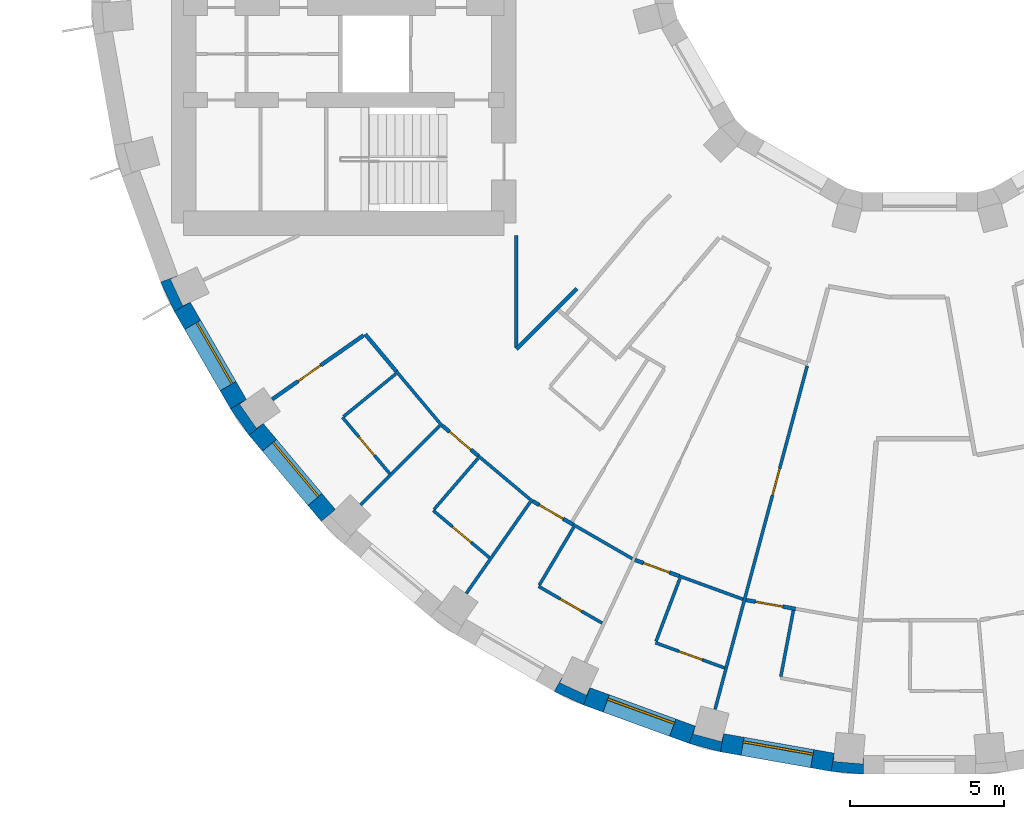
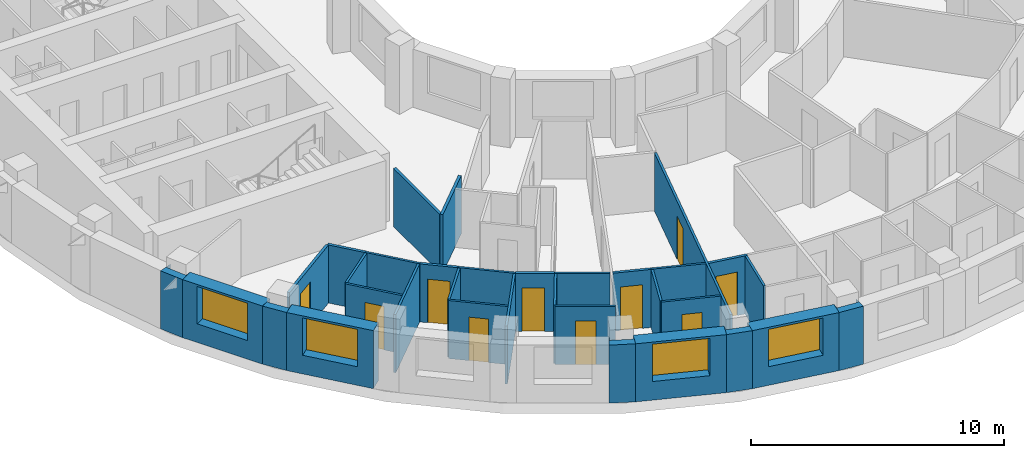
# One storey, part 4 of 15: 33 walls, 10 doors, 4 windows, 14 openings.
"""IFC4 building model written with IfcOpenShell, lengths in metres."""

from ifc_helpers import new_model, si_unit, direction, frame, frame_2d, origin, place, context, subcontext, project, spatial, polyline, rectangle, outline, extrude, material, layer, layer_set, type_object, element, fill, save


model = new_model("IFC4")

# Units and contexts
model_context = context("Model", 3, precision=1e-05, world=origin(), true_north=direction((0.0, 1.0)))
body_context = subcontext(model_context, "Body", "Model", "MODEL_VIEW")
ifc_project = project(units=[si_unit("LENGTHUNIT", "METRE"), si_unit("AREAUNIT", "SQUARE_METRE"), si_unit("VOLUMEUNIT", "CUBIC_METRE"), si_unit("PLANEANGLEUNIT", "RADIAN"), si_unit("MASSUNIT", "GRAM", prefix="KILO")], contexts=[model_context])

# Site, building, storey
site_placement = place(None, origin())
site = spatial("IfcSite", under=ifc_project, at=site_placement, CompositionType="ELEMENT")
building_placement = place(site_placement, origin())
building = spatial("IfcBuilding", under=site, at=building_placement, Name="Saqina Gate Tower", CompositionType="ELEMENT")
storey_placement = place(building_placement, frame((0.0, 0.0, 108.39990234375)))
storey = spatial("IfcBuildingStorey", under=building, at=storey_placement, Name="L30", CompositionType="ELEMENT", Elevation=108.39990234375)

# Walls
ifc_material_1 = material(Name="Brick masonry (buff)", Category="masonry")
wall_type_1 = type_object("IfcWallType", Name="BRICK PIER COPING BUFF", PredefinedType="SOLIDWALL", material=ifc_material_1)
wall_1_placement = place(storey_placement, origin())
element("IfcWall", 1, at=wall_1_placement, inside=storey, type_object=wall_type_1, Name="Pier cap L30 column 21", PredefinedType="SOLIDWALL", context=body_context, shape_type="SweptSolid", body=[
    extrude(outline(polyline([(-24.6513671875, -10.913330078125), (-24.205810546875, -11.869140625), (-23.68603515625, -11.569091796875), (-23.9296875, -11.6826171875), (-24.331298828125, -10.82177734375), (-24.08740234375, -10.7080078125), (-24.6513671875, -10.913330078125)])), origin(), (0.0, 0.0, 1.0), 2.800048828125),
])
wall_2_placement = place(storey_placement, origin())
element("IfcWall", 2, at=wall_2_placement, inside=storey, type_object=wall_type_1, Name="Pier cap L30 column 22", PredefinedType="SOLIDWALL", context=body_context, shape_type="SweptSolid", body=[
    extrude(outline(polyline([(-21.77685546875, -15.89208984375), (-21.317138671875, -15.50634765625), (-21.53759765625, -15.66064453125), (-22.08251953125, -14.88232421875), (-21.862060546875, -14.728271484375), (-22.3818359375, -15.0283203125), (-21.77685546875, -15.89208984375)])), origin(), (0.0, 0.0, 1.0), 2.800048828125),
])
wall_3_placement = place(storey_placement, origin())
element("IfcWall", 3, at=wall_3_placement, inside=storey, type_object=wall_type_1, Name="Pier cap L30 column 25", PredefinedType="SOLIDWALL", context=body_context, shape_type="SweptSolid", body=[
    extrude(outline(polyline([(-10.913330078125, -24.6513671875), (-10.7080078125, -24.08740234375), (-10.82177734375, -24.331298828125), (-11.6826171875, -23.9296875), (-11.569091796875, -23.68603515625), (-11.869140625, -24.205810546875), (-10.913330078125, -24.6513671875)])), origin(), (0.0, 0.0, 1.0), 2.800048828125),
])
wall_4_placement = place(storey_placement, origin())
element("IfcWall", 4, at=wall_4_placement, inside=storey, type_object=wall_type_1, Name="Pier cap L30 column 26", PredefinedType="SOLIDWALL", context=body_context, shape_type="SweptSolid", body=[
    extrude(outline(polyline([(-7.485595703125, -25.89892578125), (-6.466796875, -26.171875), (-6.36279296875, -25.5810546875), (-6.43212890625, -25.8408203125), (-7.349853515625, -25.5947265625), (-7.2802734375, -25.335205078125), (-7.485595703125, -25.89892578125)])), origin(), (0.0, 0.0, 1.0), 2.800048828125),
])
wall_5_placement = place(storey_placement, origin())
element("IfcWall", 5, at=wall_5_placement, inside=storey, type_object=wall_type_1, Name="Pier cap L30 column 27", PredefinedType="SOLIDWALL", context=body_context, shape_type="SweptSolid", body=[
    extrude(outline(polyline([(-2.87451171875, -26.805419921875), (-1.823974609375, -26.897216796875), (-1.823974609375, -26.29736328125), (-1.847412109375, -26.565185546875), (-2.793701171875, -26.482421875), (-2.770263671875, -26.214599609375), (-2.87451171875, -26.805419921875)])), origin(), (0.0, 0.0, 1.0), 2.800048828125),
])

# Wall, opening, window
ifc_material_2 = material(Name="Brick masonry (buff)", Category="masonry")
ifc_layer_1 = layer(ifc_material_2, 0.60009765625)
ifc_layer_set_1 = layer_set([ifc_layer_1], Name="FW-BRICK-BUFF")
wall_type_2 = type_object("IfcWallType", Name="FW-BRICK-BUFF", PredefinedType="SOLIDWALL", material=ifc_layer_set_1)
wall_6_placement = place(storey_placement, frame((-23.94580078125, -11.718994140625, 0.0), z_axis=(0.0, 0.0, 1.0), x_axis=(0.499954196102, -0.866051847062, 0.0)))
wall_6 = element("IfcWall", 6, at=wall_6_placement, inside=storey, type_object=wall_type_2, Name="Facade wall L30 facet 21", PredefinedType="SOLIDWALL", context=body_context, shape_type="SweptSolid", body=[
    extrude(rectangle(XDim=3.647705078125, YDim=0.60009765625, at=frame_2d((1.82373046875, 0.0))), origin(), (0.0, 0.0, 1.0), 2.800048828125),
])
opening_1_placement = place(wall_6_placement, frame((0.673828125, 0.0, 0.89990234375)))
opening_1 = element("IfcOpeningElement", 7, at=opening_1_placement, cuts=wall_6, Name="Opening G08-W10", PredefinedType="OPENING", context=body_context, shape_type="SweptSolid", body=[
    extrude(rectangle(XDim=2.300048828125, YDim=1.800048828125, at=frame_2d((1.14990234375, 0.89990234375))), frame((0.0, 0.31201171875, 0.0), z_axis=(0.0, -1.0, 0.0), x_axis=(1.0, 0.0, 0.0)), (0.0, 0.0, 1.0), 0.6240234375),
])
ifc_material_3 = material(Name="Aluminium glazing", Category="aluminium")
window_type = type_object("IfcWindowType", Name="WN-B", PartitioningType="SINGLE_PANEL", PredefinedType="WINDOW", material=ifc_material_3)
window_1_placement = place(opening_1_placement, origin())
window_1 = element("IfcWindow", 8, at=window_1_placement, inside=storey, type_object=window_type, Name="Window L30 facet 21", OverallHeight=1.800048828125, OverallWidth=2.300048828125, PartitioningType="SINGLE_PANEL", PredefinedType="WINDOW", context=body_context, shape_type="SweptSolid", body=[
    extrude(rectangle(XDim=2.300048828125, YDim=1.800048828125, at=frame_2d((1.14990234375, 0.89990234375))), frame((0.0, 0.179931640625, 0.0), z_axis=(0.0, -1.0, 0.0), x_axis=(1.0, 0.0, 0.0)), (0.0, 0.0, 1.0), 0.06005859375),
])
fill(opening_1, window_1)

wall_7_placement = place(storey_placement, frame((-21.547119140625, -15.69921875, 0.0), z_axis=(0.0, 0.0, 1.0), x_axis=(0.642774476932, -0.766055462616, 0.0)))
wall_7 = element("IfcWall", 9, at=wall_7_placement, inside=storey, type_object=wall_type_2, Name="Facade wall L30 facet 22", PredefinedType="SOLIDWALL", context=body_context, shape_type="SweptSolid", body=[
    extrude(rectangle(XDim=3.647705078125, YDim=0.60009765625, at=frame_2d((1.82373046875, 0.0))), origin(), (0.0, 0.0, 1.0), 2.800048828125),
])
opening_2_placement = place(wall_7_placement, frame((0.673828125, 0.0, 0.89990234375)))
opening_2 = element("IfcOpeningElement", 10, at=opening_2_placement, cuts=wall_7, Name="Opening G08-W11", PredefinedType="OPENING", context=body_context, shape_type="SweptSolid", body=[
    extrude(rectangle(XDim=2.300048828125, YDim=1.800048828125, at=frame_2d((1.14990234375, 0.89990234375))), frame((0.0, 0.31201171875, 0.0), z_axis=(0.0, -1.0, 0.0), x_axis=(1.0, 0.0, 0.0)), (0.0, 0.0, 1.0), 0.6240234375),
])
window_2_placement = place(opening_2_placement, origin())
window_2 = element("IfcWindow", 11, at=window_2_placement, inside=storey, type_object=window_type, Name="Window L30 facet 22", OverallHeight=1.800048828125, OverallWidth=2.300048828125, PartitioningType="SINGLE_PANEL", PredefinedType="WINDOW", context=body_context, shape_type="SweptSolid", body=[
    extrude(rectangle(XDim=2.300048828125, YDim=1.800048828125, at=frame_2d((1.14990234375, 0.89990234375))), frame((0.0, 0.179931640625, 0.0), z_axis=(0.0, -1.0, 0.0), x_axis=(1.0, 0.0, 0.0)), (0.0, 0.0, 1.0), 0.06005859375),
])
fill(opening_2, window_2)

wall_8_placement = place(storey_placement, frame((-10.810791015625, -24.369384765625, 0.0), z_axis=(0.0, 0.0, 1.0), x_axis=(0.939703505393, -0.341990236633, 0.0)))
wall_8 = element("IfcWall", 12, at=wall_8_placement, inside=storey, type_object=wall_type_2, Name="Facade wall L30 facet 25", PredefinedType="SOLIDWALL", context=body_context, shape_type="SweptSolid", body=[
    extrude(rectangle(XDim=3.64794921875, YDim=0.60009765625, at=frame_2d((1.823974609375, 0.0))), origin(), (0.0, 0.0, 1.0), 2.800048828125),
])
opening_3_placement = place(wall_8_placement, frame((0.673828125, 0.0, 0.89990234375)))
opening_3 = element("IfcOpeningElement", 13, at=opening_3_placement, cuts=wall_8, Name="Opening G08-W14", PredefinedType="OPENING", context=body_context, shape_type="SweptSolid", body=[
    extrude(rectangle(XDim=2.300048828125, YDim=1.800048828125, at=frame_2d((1.14990234375, 0.89990234375))), frame((0.0, 0.31201171875, 0.0), z_axis=(0.0, -1.0, 0.0), x_axis=(1.0, 0.0, 0.0)), (0.0, 0.0, 1.0), 0.6240234375),
])
window_3_placement = place(opening_3_placement, origin())
window_3 = element("IfcWindow", 14, at=window_3_placement, inside=storey, type_object=window_type, Name="Window L30 facet 25", OverallHeight=1.800048828125, OverallWidth=2.300048828125, PartitioningType="SINGLE_PANEL", PredefinedType="WINDOW", context=body_context, shape_type="SweptSolid", body=[
    extrude(rectangle(XDim=2.300048828125, YDim=1.800048828125, at=frame_2d((1.14990234375, 0.89990234375))), frame((0.0, 0.179931640625, 0.0), z_axis=(0.0, -1.0, 0.0), x_axis=(1.0, 0.0, 0.0)), (0.0, 0.0, 1.0), 0.06005859375),
])
fill(opening_3, window_3)

wall_9_placement = place(storey_placement, frame((-6.414794921875, -25.87646484375, 0.0), z_axis=(0.0, 0.0, 1.0), x_axis=(0.984803764455, -0.173670796382, 0.0)))
wall_9 = element("IfcWall", 15, at=wall_9_placement, inside=storey, type_object=wall_type_2, Name="Facade wall L30 facet 26", PredefinedType="SOLIDWALL", context=body_context, shape_type="SweptSolid", body=[
    extrude(rectangle(XDim=3.64794921875, YDim=0.60009765625, at=frame_2d((1.823974609375, 0.0))), origin(), (0.0, 0.0, 1.0), 2.800048828125),
])
opening_4_placement = place(wall_9_placement, frame((0.673828125, 0.0, 0.89990234375)))
opening_4 = element("IfcOpeningElement", 16, at=opening_4_placement, cuts=wall_9, Name="Opening G08-W15", PredefinedType="OPENING", context=body_context, shape_type="SweptSolid", body=[
    extrude(rectangle(XDim=2.300048828125, YDim=1.800048828125, at=frame_2d((1.14990234375, 0.89990234375))), frame((0.0, 0.31201171875, 0.0), z_axis=(0.0, -1.0, 0.0), x_axis=(1.0, 0.0, 0.0)), (0.0, 0.0, 1.0), 0.6240234375),
])
window_4_placement = place(opening_4_placement, origin())
window_4 = element("IfcWindow", 17, at=window_4_placement, inside=storey, type_object=window_type, Name="Window L30 facet 26", OverallHeight=1.800048828125, OverallWidth=2.300048828125, PartitioningType="SINGLE_PANEL", PredefinedType="WINDOW", context=body_context, shape_type="SweptSolid", body=[
    extrude(rectangle(XDim=2.300048828125, YDim=1.800048828125, at=frame_2d((1.14990234375, 0.89990234375))), frame((0.0, 0.179931640625, 0.0), z_axis=(0.0, -1.0, 0.0), x_axis=(1.0, 0.0, 0.0)), (0.0, 0.0, 1.0), 0.06005859375),
])
fill(opening_4, window_4)

# Wall, opening, door
ifc_material_4 = material(Name="Gypsum board on steel studs, 100 mm", Category="steel")
ifc_layer_2 = layer(ifc_material_4, 0.10009765625)
ifc_layer_set_2 = layer_set([ifc_layer_2], Name="PARTITION 100")
wall_type_3 = type_object("IfcWallType", Name="PARTITION 100", PredefinedType="PARTITIONING", material=ifc_layer_set_2)
wall_10_placement = place(storey_placement, frame((-18.741943359375, -15.30908203125, 0.0), z_axis=(0.0, 0.0, 1.0), x_axis=(0.643057723818, -0.765817709274, 0.0)))
wall_10 = element("IfcWall", 18, at=wall_10_placement, inside=storey, type_object=wall_type_3, Name="PARTITION PW3-18", PredefinedType="PARTITIONING", context=body_context, shape_type="SweptSolid", body=[
    extrude(rectangle(XDim=2.386474609375, YDim=0.10009765625, at=frame_2d((1.193359375, 0.0))), origin(), (0.0, 0.0, 1.0), 2.800048828125),
])
opening_5_placement = place(wall_10_placement, frame((0.818359375, 0.0, 0.0)))
opening_5 = element("IfcOpeningElement", 19, at=opening_5_placement, cuts=wall_10, Name="Opening G08-D23", PredefinedType="OPENING", context=body_context, shape_type="SweptSolid", body=[
    extrude(rectangle(XDim=0.800048828125, YDim=2.10009765625, at=frame_2d((0.39990234375, 1.050048828125))), frame((0.0, 0.06201171875, 0.0), z_axis=(0.0, -1.0, 0.0), x_axis=(1.0, 0.0, 0.0)), (0.0, 0.0, 1.0), 0.1240234375),
])
ifc_material_5 = material(Name="Timber door leaf, 800 mm", Category="wood")
door_type_1 = type_object("IfcDoorType", Name="DOOR 800 TIMBER", OperationType="SINGLE_SWING_LEFT", PredefinedType="DOOR", material=ifc_material_5)
door_1_placement = place(opening_5_placement, frame((0.800048828125, 0.0, 0.0), z_axis=(0.0, 0.0, 1.0), x_axis=(-1.0, 0.0, 0.0)))
door_1 = element("IfcDoor", 20, at=door_1_placement, inside=storey, type_object=door_type_1, Name="DOOR G08-D23", OperationType="SINGLE_SWING_LEFT", OverallHeight=2.10009765625, OverallWidth=0.800048828125, PredefinedType="DOOR", context=body_context, shape_type="SweptSolid", body=[
    extrude(rectangle(XDim=0.800048828125, YDim=2.10009765625, at=frame_2d((0.39990234375, 1.050048828125))), frame((0.0, 0.02490234375, 0.0), z_axis=(0.0, -1.0, 0.0), x_axis=(1.0, 0.0, 0.0)), (0.0, 0.0, 1.0), 0.050048828125),
])
fill(opening_5, door_1)

# Wall
wall_11_placement = place(storey_placement, frame((-16.9921875, -13.815673828125, 0.0), z_axis=(0.0, 0.0, 1.0), x_axis=(0.64271045889, -0.766109173704, 0.0)))
element("IfcWall", 21, at=wall_11_placement, inside=storey, type_object=wall_type_3, Name="PARTITION PW3-19", PredefinedType="PARTITIONING", context=body_context, shape_type="SweptSolid", body=[
    extrude(rectangle(XDim=2.306884765625, YDim=0.10009765625, at=frame_2d((1.1533203125, 0.0))), origin(), (0.0, 0.0, 1.0), 2.800048828125),
])

# Wall, opening, door
wall_12_placement = place(storey_placement, frame((-15.798095703125, -18.3310546875, 0.0), z_axis=(0.0, 0.0, 1.0), x_axis=(0.766061519328, -0.642767258504, 0.0)))
wall_12 = element("IfcWall", 22, at=wall_12_placement, inside=storey, type_object=wall_type_3, Name="PARTITION PW3-23", PredefinedType="PARTITIONING", context=body_context, shape_type="SweptSolid", body=[
    extrude(rectangle(XDim=2.385986328125, YDim=0.10009765625, at=frame_2d((1.19287109375, 0.0))), origin(), (0.0, 0.0, 1.0), 2.800048828125),
])
opening_6_placement = place(wall_12_placement, frame((0.818115234375, 0.0, 0.0)))
opening_6 = element("IfcOpeningElement", 23, at=opening_6_placement, cuts=wall_12, Name="Opening G08-D25", PredefinedType="OPENING", context=body_context, shape_type="SweptSolid", body=[
    extrude(rectangle(XDim=0.800048828125, YDim=2.10009765625, at=frame_2d((0.39990234375, 1.050048828125))), frame((0.0, 0.06201171875, 0.0), z_axis=(0.0, -1.0, 0.0), x_axis=(1.0, 0.0, 0.0)), (0.0, 0.0, 1.0), 0.1240234375),
])
door_2_placement = place(opening_6_placement, frame((0.800048828125, 0.0, 0.0), z_axis=(0.0, 0.0, 1.0), x_axis=(-1.0, 0.0, 0.0)))
door_2 = element("IfcDoor", 24, at=door_2_placement, inside=storey, type_object=door_type_1, Name="DOOR G08-D25", OperationType="SINGLE_SWING_LEFT", OverallHeight=2.10009765625, OverallWidth=0.800048828125, PredefinedType="DOOR", context=body_context, shape_type="SweptSolid", body=[
    extrude(rectangle(XDim=0.800048828125, YDim=2.10009765625, at=frame_2d((0.39990234375, 1.050048828125))), frame((0.0, 0.02490234375, 0.0), z_axis=(0.0, -1.0, 0.0), x_axis=(1.0, 0.0, 0.0)), (0.0, 0.0, 1.0), 0.050048828125),
])
fill(opening_6, door_2)

# Wall
wall_13_placement = place(storey_placement, frame((-14.335205078125, -16.555908203125, 0.0), z_axis=(0.0, 0.0, 1.0), x_axis=(0.765890459519, -0.642971075568, 0.0)))
element("IfcWall", 25, at=wall_13_placement, inside=storey, type_object=wall_type_3, Name="PARTITION PW3-24", PredefinedType="PARTITIONING", context=body_context, shape_type="SweptSolid", body=[
    extrude(rectangle(XDim=2.305908203125, YDim=0.10009765625, at=frame_2d((1.15283203125, 0.0))), origin(), (0.0, 0.0, 1.0), 2.800048828125),
])

# Wall, opening, door
wall_14_placement = place(storey_placement, frame((-12.375, -20.7958984375, 0.0), z_axis=(0.0, 0.0, 1.0), x_axis=(0.866037365989, -0.499979280282, 0.0)))
wall_14 = element("IfcWall", 26, at=wall_14_placement, inside=storey, type_object=wall_type_3, Name="PARTITION PW3-28", PredefinedType="PARTITIONING", context=body_context, shape_type="SweptSolid", body=[
    extrude(rectangle(XDim=2.38623046875, YDim=0.10009765625, at=frame_2d((1.193115234375, 0.0))), origin(), (0.0, 0.0, 1.0), 2.800048828125),
])
opening_7_placement = place(wall_14_placement, frame((0.818115234375, 0.0, 0.0)))
opening_7 = element("IfcOpeningElement", 27, at=opening_7_placement, cuts=wall_14, Name="Opening G08-D30", PredefinedType="OPENING", context=body_context, shape_type="SweptSolid", body=[
    extrude(rectangle(XDim=0.800048828125, YDim=2.10009765625, at=frame_2d((0.39990234375, 1.050048828125))), frame((0.0, 0.06201171875, 0.0), z_axis=(0.0, -1.0, 0.0), x_axis=(1.0, 0.0, 0.0)), (0.0, 0.0, 1.0), 0.1240234375),
])
door_3_placement = place(opening_7_placement, frame((0.800048828125, 0.0, 0.0), z_axis=(0.0, 0.0, 1.0), x_axis=(-1.0, 0.0, 0.0)))
door_3 = element("IfcDoor", 28, at=door_3_placement, inside=storey, type_object=door_type_1, Name="DOOR G08-D30", OperationType="SINGLE_SWING_LEFT", OverallHeight=2.10009765625, OverallWidth=0.800048828125, PredefinedType="DOOR", context=body_context, shape_type="SweptSolid", body=[
    extrude(rectangle(XDim=0.800048828125, YDim=2.10009765625, at=frame_2d((0.39990234375, 1.050048828125))), frame((0.0, 0.02490234375, 0.0), z_axis=(0.0, -1.0, 0.0), x_axis=(1.0, 0.0, 0.0)), (0.0, 0.0, 1.0), 0.050048828125),
])
fill(opening_7, door_3)

# Wall
wall_15_placement = place(storey_placement, frame((-11.2421875, -18.7939453125, 0.0), z_axis=(0.0, 0.0, 1.0), x_axis=(0.866039875853, -0.499974932805, 0.0)))
element("IfcWall", 29, at=wall_15_placement, inside=storey, type_object=wall_type_3, Name="PARTITION PW3-29", PredefinedType="PARTITIONING", context=body_context, shape_type="SweptSolid", body=[
    extrude(rectangle(XDim=2.2041015625, YDim=0.10009765625, at=frame_2d((1.10205078125, 0.0))), origin(), (0.0, 0.0, 1.0), 2.800048828125),
])

# Wall, opening, door
wall_16_placement = place(storey_placement, frame((-8.575927734375, -22.62890625, 0.0), z_axis=(0.0, 0.0, 1.0), x_axis=(0.939703758344, -0.341989541586, 0.0)))
wall_16 = element("IfcWall", 30, at=wall_16_placement, inside=storey, type_object=wall_type_3, Name="PARTITION PW3-33", PredefinedType="PARTITIONING", context=body_context, shape_type="SweptSolid", body=[
    extrude(rectangle(XDim=2.3857421875, YDim=0.10009765625, at=frame_2d((1.19287109375, 0.0))), origin(), (0.0, 0.0, 1.0), 2.800048828125),
])
opening_8_placement = place(wall_16_placement, frame((0.81787109375, 0.0, 0.0)))
opening_8 = element("IfcOpeningElement", 31, at=opening_8_placement, cuts=wall_16, Name="Opening G08-D33", PredefinedType="OPENING", context=body_context, shape_type="SweptSolid", body=[
    extrude(rectangle(XDim=0.800048828125, YDim=2.10009765625, at=frame_2d((0.39990234375, 1.050048828125))), frame((0.0, 0.06201171875, 0.0), z_axis=(0.0, -1.0, 0.0), x_axis=(1.0, 0.0, 0.0)), (0.0, 0.0, 1.0), 0.1240234375),
])
door_4_placement = place(opening_8_placement, frame((0.800048828125, 0.0, 0.0), z_axis=(0.0, 0.0, 1.0), x_axis=(-1.0, 0.0, 0.0)))
door_4 = element("IfcDoor", 32, at=door_4_placement, inside=storey, type_object=door_type_1, Name="DOOR G08-D33", OperationType="SINGLE_SWING_LEFT", OverallHeight=2.10009765625, OverallWidth=0.800048828125, PredefinedType="DOOR", context=body_context, shape_type="SweptSolid", body=[
    extrude(rectangle(XDim=0.800048828125, YDim=2.10009765625, at=frame_2d((0.39990234375, 1.050048828125))), frame((0.0, 0.02490234375, 0.0), z_axis=(0.0, -1.0, 0.0), x_axis=(1.0, 0.0, 0.0)), (0.0, 0.0, 1.0), 0.050048828125),
])
fill(opening_8, door_4)

# Walls
wall_17_placement = place(storey_placement, frame((-7.80810546875, -20.4609375, 0.0), z_axis=(0.0, 0.0, 1.0), x_axis=(0.939728749343, -0.341920864613, 0.0)))
element("IfcWall", 33, at=wall_17_placement, inside=storey, type_object=wall_type_3, Name="PARTITION PW3-34", PredefinedType="PARTITIONING", context=body_context, shape_type="SweptSolid", body=[
    extrude(rectangle(XDim=2.204833984375, YDim=0.10009765625, at=frame_2d((1.1025390625, 0.0))), origin(), (0.0, 0.0, 1.0), 2.800048828125),
])
wall_18_placement = place(storey_placement, frame((-18.703369140625, -15.27734375, 0.0), z_axis=(0.0, 0.0, 1.0), x_axis=(0.774603188675, 0.632447547307, 0.0)))
element("IfcWall", 34, at=wall_18_placement, inside=storey, type_object=wall_type_3, Name="PARTITION PW3-68", PredefinedType="PARTITIONING", context=body_context, shape_type="SweptSolid", body=[
    extrude(rectangle(XDim=2.18798828125, YDim=0.10009765625, at=frame_2d((1.093994140625, 0.0))), origin(), (0.0, 0.0, 1.0), 2.800048828125),
])
wall_19_placement = place(storey_placement, frame((-18.14794921875, -18.14794921875, 0.0), z_axis=(0.0, 0.0, 1.0), x_axis=(0.707106781187, 0.707106781187, 0.0)))
element("IfcWall", 35, at=wall_19_placement, inside=storey, type_object=wall_type_3, Name="PARTITION PW3-71", PredefinedType="PARTITIONING", context=body_context, shape_type="SweptSolid", body=[
    extrude(rectangle(XDim=3.62158203125, YDim=0.10009765625, at=frame_2d((1.810791015625, 0.0))), origin(), (0.0, 0.0, 1.0), 2.800048828125),
])
wall_20_placement = place(storey_placement, frame((-15.765380859375, -18.293212890625, 0.0), z_axis=(0.0, 0.0, 1.0), x_axis=(0.652471516294, 0.757813249043, 0.0)))
element("IfcWall", 36, at=wall_20_placement, inside=storey, type_object=wall_type_3, Name="PARTITION PW3-73", PredefinedType="PARTITIONING", context=body_context, shape_type="SweptSolid", body=[
    extrude(rectangle(XDim=2.187744140625, YDim=0.10009765625, at=frame_2d((1.09375, 0.0))), origin(), (0.0, 0.0, 1.0), 2.800048828125),
])
wall_21_placement = place(storey_placement, frame((-14.720703125, -21.023681640625, 0.0), z_axis=(0.0, 0.0, 1.0), x_axis=(0.573521163573, 0.819190743926, 0.0)))
element("IfcWall", 37, at=wall_21_placement, inside=storey, type_object=wall_type_3, Name="PARTITION PW3-77", PredefinedType="PARTITIONING", context=body_context, shape_type="SweptSolid", body=[
    extrude(rectangle(XDim=3.621337890625, YDim=0.10009765625, at=frame_2d((1.810546875, 0.0))), origin(), (0.0, 0.0, 1.0), 2.800048828125),
])
for number, where, z_axis, x_axis, name in (
    (38, (-12.349365234375, -20.7529296875, 0.0), (0.0, 0.0, 1.0), (0.511242513148, 0.859436497218, 0.0), "PARTITION PW3-81"),
    (39, (-8.558349609375, -22.582275390625, 0.0), (0.0, 0.0, 1.0), (0.35430099241, 0.935131438236, 0.0), "PARTITION PW3-86"),
):
    element("IfcWall", number, at=place(storey_placement, frame(where, z_axis=z_axis, x_axis=x_axis)), inside=storey, type_object=wall_type_3, Name=name, PredefinedType="PARTITIONING", context=body_context, shape_type="SweptSolid", body=[
        extrude(rectangle(XDim=2.187744140625, YDim=0.10009765625, at=frame_2d((1.09375, 0.0))), origin(), (0.0, 0.0, 1.0), 2.800048828125),
    ])

# Wall, opening, door
wall_22_placement = place(storey_placement, frame((-6.642333984375, -24.79052734375, 0.0), z_axis=(0.0, 0.0, 1.0), x_axis=(0.259103074619, 0.965849676049, 0.0)))
wall_22 = element("IfcWall", 40, at=wall_22_placement, inside=storey, type_object=wall_type_3, Name="PARTITION PW3-88", PredefinedType="PARTITIONING", context=body_context, shape_type="SweptSolid", body=[
    extrude(rectangle(XDim=11.549072265625, YDim=0.10009765625, at=frame_2d((5.7744140625, 0.0))), origin(), (0.0, 0.0, 1.0), 2.800048828125),
])
opening_9_placement = place(wall_22_placement, frame((7.19873046875, 0.0, 0.0)))
opening_9 = element("IfcOpeningElement", 41, at=opening_9_placement, cuts=wall_22, Name="Opening G08-D34", PredefinedType="OPENING", context=body_context, shape_type="SweptSolid", body=[
    extrude(rectangle(XDim=0.89990234375, YDim=2.10009765625, at=frame_2d((0.449951171875, 1.050048828125))), frame((0.0, 0.06201171875, 0.0), z_axis=(0.0, -1.0, 0.0), x_axis=(1.0, 0.0, 0.0)), (0.0, 0.0, 1.0), 0.1240234375),
])
ifc_material_6 = material(Name="Timber door leaf, 900 mm", Category="wood")
door_type_2 = type_object("IfcDoorType", Name="DOOR 900 TIMBER", OperationType="SINGLE_SWING_LEFT", PredefinedType="DOOR", material=ifc_material_6)
door_5_placement = place(opening_9_placement, frame((0.89990234375, 0.0, 0.0), z_axis=(0.0, 0.0, 1.0), x_axis=(-1.0, 0.0, 0.0)))
door_5 = element("IfcDoor", 42, at=door_5_placement, inside=storey, type_object=door_type_2, Name="DOOR G08-D34", OperationType="SINGLE_SWING_LEFT", OverallHeight=2.10009765625, OverallWidth=0.89990234375, PredefinedType="DOOR", context=body_context, shape_type="SweptSolid", body=[
    extrude(rectangle(XDim=0.89990234375, YDim=2.10009765625, at=frame_2d((0.449951171875, 1.050048828125))), frame((0.0, 0.02490234375, 0.0), z_axis=(0.0, -1.0, 0.0), x_axis=(1.0, 0.0, 0.0)), (0.0, 0.0, 1.0), 0.050048828125),
])
fill(opening_9, door_5)

# Walls
wall_23_placement = place(storey_placement, frame((-4.506591796875, -23.724853515625, 0.0), z_axis=(0.0, 0.0, 1.0), x_axis=(0.186471082638, 0.982460449759, 0.0)))
element("IfcWall", 43, at=wall_23_placement, inside=storey, type_object=wall_type_3, Name="PARTITION PW3-90", PredefinedType="PARTITIONING", context=body_context, shape_type="SweptSolid", body=[
    extrude(rectangle(XDim=2.187744140625, YDim=0.10009765625, at=frame_2d((1.09375, 0.0))), origin(), (0.0, 0.0, 1.0), 2.800048828125),
])
ifc_material_7 = material(Name="Gypsum board on steel studs, 125 mm, fire rated", Category="steel")
ifc_layer_3 = layer(ifc_material_7, 0.125)
ifc_layer_set_3 = layer_set([ifc_layer_3], Name="PARTITION EI 30 125")
wall_type_4 = type_object("IfcWallType", Name="PARTITION EI 30 125", PredefinedType="PARTITIONING", material=ifc_layer_set_3)
wall_24_placement = place(storey_placement, frame((-18.00439453125, -12.610107421875, 0.0), z_axis=(0.0, 0.0, 1.0), x_axis=(0.643017480444, -0.765851499863, 0.0)))
element("IfcWall", 44, at=wall_24_placement, inside=storey, type_object=wall_type_4, Name="PARTITION PW1-05", PredefinedType="PARTITIONING", context=body_context, shape_type="SweptSolid", body=[
    extrude(rectangle(XDim=1.57421875, YDim=0.125, at=frame_2d((0.787109375, 0.0))), origin(), (0.0, 0.0, 1.0), 2.800048828125),
])

# Wall, opening, door
wall_25_placement = place(storey_placement, frame((-15.503662109375, -15.575927734375, 0.0), z_axis=(0.0, 0.0, 1.0), x_axis=(0.766196628468, -0.642606198635, 0.0)))
wall_25 = element("IfcWall", 45, at=wall_25_placement, inside=storey, type_object=wall_type_4, Name="PARTITION PW1-12", PredefinedType="PARTITIONING", context=body_context, shape_type="SweptSolid", body=[
    extrude(rectangle(XDim=1.52490234375, YDim=0.125, at=frame_2d((0.762451171875, 0.0))), origin(), (0.0, 0.0, 1.0), 2.800048828125),
])
opening_10_placement = place(wall_25_placement, frame((0.3125, 0.0, 0.0)))
opening_10 = element("IfcOpeningElement", 46, at=opening_10_placement, cuts=wall_25, Name="Opening G08-D24", PredefinedType="OPENING", context=body_context, shape_type="SweptSolid", body=[
    extrude(rectangle(XDim=0.89990234375, YDim=2.10009765625, at=frame_2d((0.449951171875, 1.050048828125))), frame((0.0, 0.074462890625, 0.0), z_axis=(0.0, -1.0, 0.0), x_axis=(1.0, 0.0, 0.0)), (0.0, 0.0, 1.0), 0.14892578125),
])
ifc_material_8 = material(Name="Fire door leaf EI 30, 900 mm")
door_type_3 = type_object("IfcDoorType", Name="DOOR 900 EI 30", OperationType="SINGLE_SWING_LEFT", PredefinedType="DOOR", material=ifc_material_8)
door_6_placement = place(opening_10_placement, origin())
door_6 = element("IfcDoor", 47, at=door_6_placement, inside=storey, type_object=door_type_3, Name="DOOR G08-D24", OperationType="SINGLE_SWING_LEFT", OverallHeight=2.10009765625, OverallWidth=0.89990234375, PredefinedType="DOOR", context=body_context, shape_type="SweptSolid", body=[
    extrude(rectangle(XDim=0.89990234375, YDim=2.10009765625, at=frame_2d((0.449951171875, 1.050048828125))), frame((0.0, 0.02490234375, 0.0), z_axis=(0.0, -1.0, 0.0), x_axis=(1.0, 0.0, 0.0)), (0.0, 0.0, 1.0), 0.050048828125),
])
fill(opening_10, door_6)

wall_26_placement = place(storey_placement, frame((-12.564697265625, -18.031005859375, 0.0), z_axis=(0.0, 0.0, 1.0), x_axis=(0.866198896269, -0.499699381732, 0.0)))
wall_26 = element("IfcWall", 48, at=wall_26_placement, inside=storey, type_object=wall_type_4, Name="PARTITION PW1-15", PredefinedType="PARTITIONING", context=body_context, shape_type="SweptSolid", body=[
    extrude(rectangle(XDim=1.52685546875, YDim=0.125, at=frame_2d((0.763427734375, 0.0))), origin(), (0.0, 0.0, 1.0), 2.800048828125),
])
opening_11_placement = place(wall_26_placement, frame((0.243408203125, 0.0, 0.0)))
opening_11 = element("IfcOpeningElement", 49, at=opening_11_placement, cuts=wall_26, Name="Opening G08-D28", PredefinedType="OPENING", context=body_context, shape_type="SweptSolid", body=[
    extrude(rectangle(XDim=0.89990234375, YDim=2.10009765625, at=frame_2d((0.449951171875, 1.050048828125))), frame((0.0, 0.074462890625, 0.0), z_axis=(0.0, -1.0, 0.0), x_axis=(1.0, 0.0, 0.0)), (0.0, 0.0, 1.0), 0.14892578125),
])
door_7_placement = place(opening_11_placement, origin())
door_7 = element("IfcDoor", 50, at=door_7_placement, inside=storey, type_object=door_type_3, Name="DOOR G08-D28", OperationType="SINGLE_SWING_RIGHT", OverallHeight=2.10009765625, OverallWidth=0.89990234375, PredefinedType="DOOR", context=body_context, shape_type="SweptSolid", body=[
    extrude(rectangle(XDim=0.89990234375, YDim=2.10009765625, at=frame_2d((0.449951171875, 1.050048828125))), frame((0.0, 0.02490234375, 0.0), z_axis=(0.0, -1.0, 0.0), x_axis=(1.0, 0.0, 0.0)), (0.0, 0.0, 1.0), 0.050048828125),
])
fill(opening_11, door_7)

wall_27_placement = place(storey_placement, frame((-9.242919921875, -19.938232421875, 0.0), z_axis=(0.0, 0.0, 1.0), x_axis=(0.939611268692, -0.342243573711, 0.0)))
wall_27 = element("IfcWall", 51, at=wall_27_placement, inside=storey, type_object=wall_type_4, Name="PARTITION PW1-18", PredefinedType="PARTITIONING", context=body_context, shape_type="SweptSolid", body=[
    extrude(rectangle(XDim=1.52734375, YDim=0.125, at=frame_2d((0.763671875, 0.0))), origin(), (0.0, 0.0, 1.0), 2.800048828125),
])
opening_12_placement = place(wall_27_placement, frame((0.29443359375, 0.0, 0.0)))
opening_12 = element("IfcOpeningElement", 52, at=opening_12_placement, cuts=wall_27, Name="Opening G08-D32", PredefinedType="OPENING", context=body_context, shape_type="SweptSolid", body=[
    extrude(rectangle(XDim=0.89990234375, YDim=2.10009765625, at=frame_2d((0.449951171875, 1.050048828125))), frame((0.0, 0.074462890625, 0.0), z_axis=(0.0, -1.0, 0.0), x_axis=(1.0, 0.0, 0.0)), (0.0, 0.0, 1.0), 0.14892578125),
])
door_8_placement = place(opening_12_placement, origin())
door_8 = element("IfcDoor", 53, at=door_8_placement, inside=storey, type_object=door_type_3, Name="DOOR G08-D32", OperationType="SINGLE_SWING_LEFT", OverallHeight=2.10009765625, OverallWidth=0.89990234375, PredefinedType="DOOR", context=body_context, shape_type="SweptSolid", body=[
    extrude(rectangle(XDim=0.89990234375, YDim=2.10009765625, at=frame_2d((0.449951171875, 1.050048828125))), frame((0.0, 0.02490234375, 0.0), z_axis=(0.0, -1.0, 0.0), x_axis=(1.0, 0.0, 0.0)), (0.0, 0.0, 1.0), 0.050048828125),
])
fill(opening_12, door_8)

wall_28_placement = place(storey_placement, frame((-5.639892578125, -21.24072265625, 0.0), z_axis=(0.0, 0.0, 1.0), x_axis=(0.984569921273, -0.174991628724, 0.0)))
wall_28 = element("IfcWall", 54, at=wall_28_placement, inside=storey, type_object=wall_type_4, Name="PARTITION PW1-22", PredefinedType="PARTITIONING", context=body_context, shape_type="SweptSolid", body=[
    extrude(rectangle(XDim=1.639404296875, YDim=0.125, at=frame_2d((0.81982421875, 0.0))), origin(), (0.0, 0.0, 1.0), 2.800048828125),
])
opening_13_placement = place(wall_28_placement, frame((0.313232421875, 0.0, 0.0)))
opening_13 = element("IfcOpeningElement", 55, at=opening_13_placement, cuts=wall_28, Name="Opening G08-D35", PredefinedType="OPENING", context=body_context, shape_type="SweptSolid", body=[
    extrude(rectangle(XDim=0.89990234375, YDim=2.10009765625, at=frame_2d((0.449951171875, 1.050048828125))), frame((0.0, 0.074462890625, 0.0), z_axis=(0.0, -1.0, 0.0), x_axis=(1.0, 0.0, 0.0)), (0.0, 0.0, 1.0), 0.14892578125),
])
door_9_placement = place(opening_13_placement, origin())
door_9 = element("IfcDoor", 56, at=door_9_placement, inside=storey, type_object=door_type_3, Name="DOOR G08-D35", OperationType="SINGLE_SWING_LEFT", OverallHeight=2.10009765625, OverallWidth=0.89990234375, PredefinedType="DOOR", context=body_context, shape_type="SweptSolid", body=[
    extrude(rectangle(XDim=0.89990234375, YDim=2.10009765625, at=frame_2d((0.449951171875, 1.050048828125))), frame((0.0, 0.02490234375, 0.0), z_axis=(0.0, -1.0, 0.0), x_axis=(1.0, 0.0, 0.0)), (0.0, 0.0, 1.0), 0.050048828125),
])
fill(opening_13, door_9)

wall_29_placement = place(storey_placement, frame((-21.023681640625, -14.720703125, 0.0), z_axis=(0.0, 0.0, 1.0), x_axis=(0.819168566666, 0.573552839228, 0.0)))
wall_29 = element("IfcWall", 57, at=wall_29_placement, inside=storey, type_object=wall_type_4, Name="PARTITION PW1-42", PredefinedType="PARTITIONING", context=body_context, shape_type="SweptSolid", body=[
    extrude(rectangle(XDim=3.62109375, YDim=0.125, at=frame_2d((1.810546875, 0.0))), origin(), (0.0, 0.0, 1.0), 2.800048828125),
])
opening_14_placement = place(wall_29_placement, frame((1.024658203125, 0.0, 0.0)))
opening_14 = element("IfcOpeningElement", 58, at=opening_14_placement, cuts=wall_29, Name="Opening G08-D22", PredefinedType="OPENING", context=body_context, shape_type="SweptSolid", body=[
    extrude(rectangle(XDim=0.89990234375, YDim=2.10009765625, at=frame_2d((0.449951171875, 1.050048828125))), frame((0.0, 0.074462890625, 0.0), z_axis=(0.0, -1.0, 0.0), x_axis=(1.0, 0.0, 0.0)), (0.0, 0.0, 1.0), 0.14892578125),
])
door_10_placement = place(opening_14_placement, origin())
door_10 = element("IfcDoor", 59, at=door_10_placement, inside=storey, type_object=door_type_3, Name="DOOR G08-D22", OperationType="SINGLE_SWING_LEFT", OverallHeight=2.10009765625, OverallWidth=0.89990234375, PredefinedType="DOOR", context=body_context, shape_type="SweptSolid", body=[
    extrude(rectangle(XDim=0.89990234375, YDim=2.10009765625, at=frame_2d((0.449951171875, 1.050048828125))), frame((0.0, 0.02490234375, 0.0), z_axis=(0.0, -1.0, 0.0), x_axis=(1.0, 0.0, 0.0)), (0.0, 0.0, 1.0), 0.050048828125),
])
fill(opening_14, door_10)

# Walls
wall_30_placement = place(storey_placement, frame((-13.097412109375, -13.096435546875, 0.0), z_axis=(0.0, 0.0, 1.0), x_axis=(0.707369988597, 0.706843475766, 0.0)))
element("IfcWall", 60, at=wall_30_placement, inside=storey, type_object=wall_type_4, Name="PARTITION PW1-45", PredefinedType="PARTITIONING", context=body_context, shape_type="SweptSolid", body=[
    extrude(rectangle(XDim=2.7822265625, YDim=0.125, at=frame_2d((1.39111328125, 0.0))), origin(), (0.0, 0.0, 1.0), 2.800048828125),
])
wall_31_placement = place(storey_placement, frame((-13.10009765625, -13.032470703125, 0.0), z_axis=(0.0, 0.0, 1.0), x_axis=(0.0, 1.0, 0.0)))
element("IfcWall", 61, at=wall_31_placement, inside=storey, type_object=wall_type_4, Name="PARTITION PW1-59", PredefinedType="PARTITIONING", context=body_context, shape_type="SweptSolid", body=[
    extrude(rectangle(XDim=3.631591796875, YDim=0.125, at=frame_2d((1.81591796875, 0.0))), origin(), (0.0, 0.0, 1.0), 2.800048828125),
])

save(model, "model.ifc")
